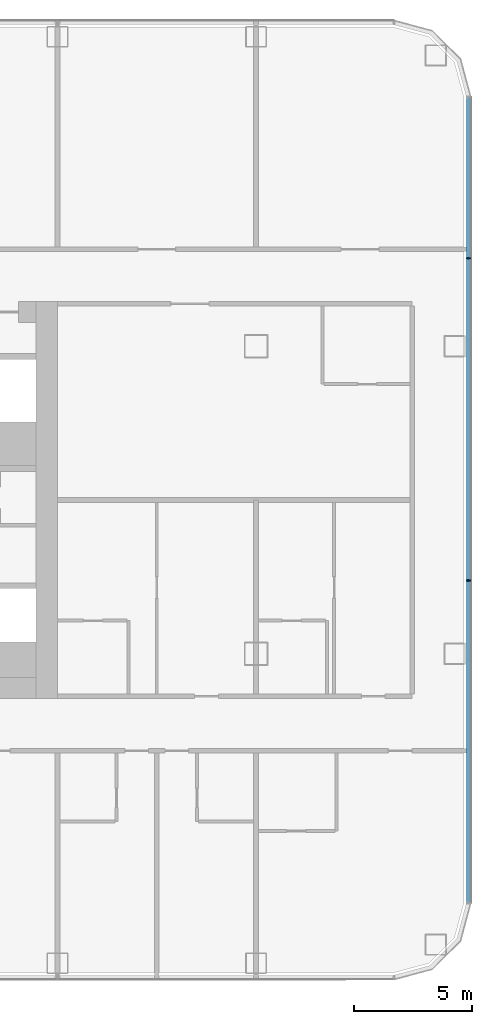
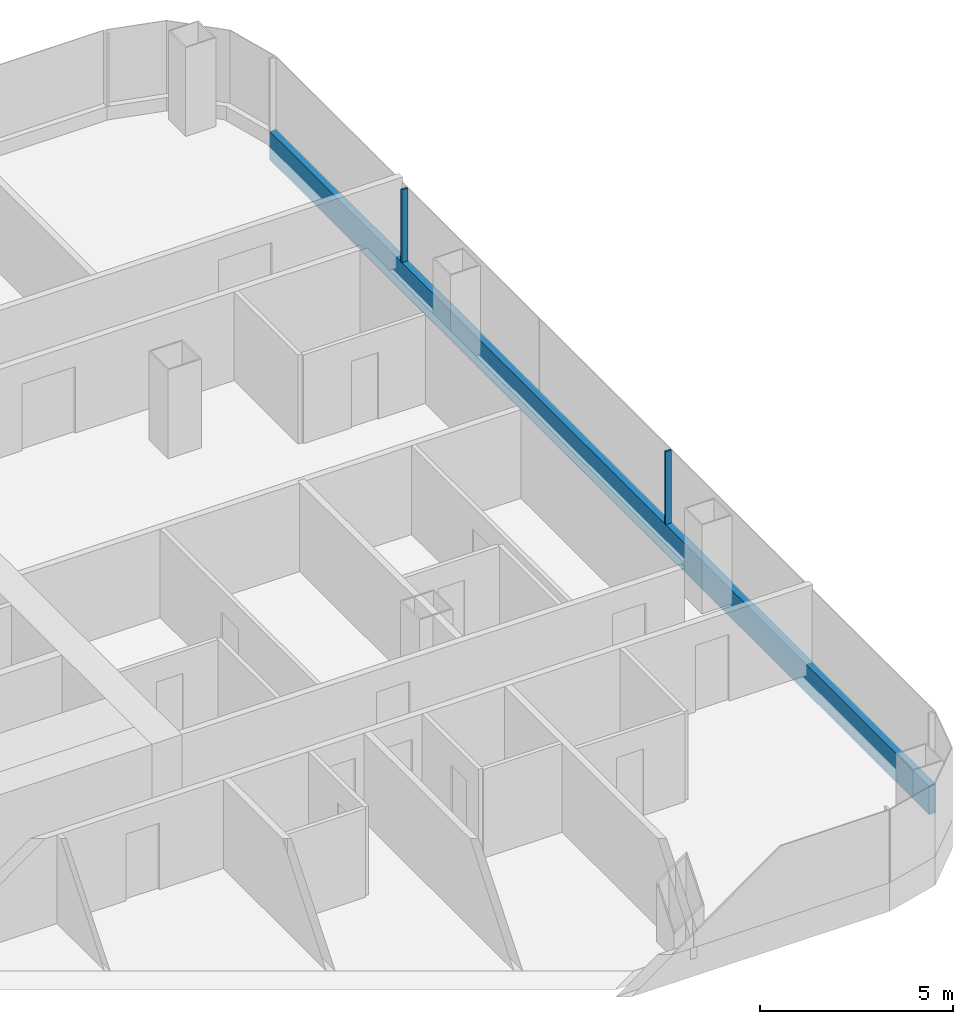
# One storey, part 10 of 29: 3 members, 1 element without a shape of its own.
"""IFC4 building model written with IfcOpenShell, lengths in metres."""

from ifc_helpers import new_model, si_unit, direction, frame, origin, origin_2d, place, context, subcontext, project, spatial, rectangle, extrude, material, layer, layer_set, material_profile, profile_set, type_object, element, aggregate, save


model = new_model("IFC4")

# Units and contexts
model_context = context("Model", 3, precision=1e-05, world=origin(), true_north=direction((0.0, 1.0)))
body_context = subcontext(model_context, "Body", "Model", "MODEL_VIEW")
ifc_project = project(units=[si_unit("LENGTHUNIT", "METRE"), si_unit("AREAUNIT", "SQUARE_METRE"), si_unit("VOLUMEUNIT", "CUBIC_METRE"), si_unit("PLANEANGLEUNIT", "RADIAN"), si_unit("MASSUNIT", "GRAM", prefix="KILO")], contexts=[model_context])

# Site, building, storey
site_placement = place(None, origin())
site = spatial("IfcSite", under=ifc_project, at=site_placement, CompositionType="ELEMENT")
building_placement = place(site_placement, origin())
building = spatial("IfcBuilding", under=site, at=building_placement, Name="Hakoniwa Tower and Hamabe Station Hall", CompositionType="ELEMENT")
storey_placement = place(building_placement, frame((0.0, 0.0, 29.39990234375)))
storey = spatial("IfcBuildingStorey", under=building, at=storey_placement, Name="L07", CompositionType="ELEMENT", Elevation=29.39990234375)

# Curtain wall, members
ifc_material_1 = material(Name="Dark low-e laminated glass", Category="glass")
ifc_layer = layer(ifc_material_1, 0.199951171875)
ifc_layer_set = layer_set([ifc_layer], Name="CW-1 UNITISED GUEST")
curtain_wall_type = type_object("IfcCurtainWallType", Name="CW-1 UNITISED GUEST", PredefinedType="NOTDEFINED", material=ifc_layer_set)
curtain_wall_placement = place(storey_placement, origin())
curtain_wall = element("IfcCurtainWall", 1, at=curtain_wall_placement, inside=storey, type_object=curtain_wall_type, Name="CW-1 curtain wall", PredefinedType="NOTDEFINED")
ifc_material_2 = material(Name="Aluminium 6063-T5 black anodised", Category="aluminium")
ifc_material_profile_1 = material_profile(ifc_material_2, rectangle(XDim=0.199951171875, YDim=0.89990234375, at=origin_2d()), Name="CW SLAB-EDGE BAND 900X200")
ifc_profile_set_1 = profile_set([ifc_material_profile_1], Name="Aluminium 6063-T5 black anodised")
member_type_1 = type_object("IfcMemberType", Name="CW SLAB-EDGE BAND 900X200", PredefinedType="USERDEFINED", material=ifc_profile_set_1)
member_1_placement = place(storey_placement, frame((51.0, -17.03955078125, -0.099853515625), z_axis=(0.0, 1.0, 0.0), x_axis=(-1.0, 0.0, 0.0)))
member_1 = element("IfcMember", 2, at=member_1_placement, type_object=member_type_1, Name="CW-1 transom", ObjectType="TRANSOM", PredefinedType="USERDEFINED", context=body_context, shape_type="SweptSolid", body=[
    extrude(rectangle(XDim=0.199951171875, YDim=0.89990234375, at=origin_2d()), origin(), (0.0, 0.0, 1.0), 34.0791015625),
])
ifc_material_3 = material(Name="Aluminium 6063-T5 black anodised", Category="aluminium")
ifc_material_profile_2 = material_profile(ifc_material_3, rectangle(XDim=0.06005859375, YDim=0.179931640625, at=origin_2d()), Name="CW-1 MULLION 60X180")
ifc_profile_set_2 = profile_set([ifc_material_profile_2], Name="Aluminium 6063-T5 black anodised")
member_type_2 = type_object("IfcMemberType", Name="CW-1 MULLION 60X180", PredefinedType="MULLION", material=ifc_profile_set_2)
member_2_placement = place(storey_placement, frame((50.98193359375, -3.407958984375, 0.35009765625), z_axis=(0.0, 0.0, 1.0), x_axis=(0.0, 1.0, 0.0)))
member_2 = element("IfcMember", 3, at=member_2_placement, type_object=member_type_2, Name="CW-1 mullion", PredefinedType="MULLION", context=body_context, shape_type="SweptSolid", body=[
    extrude(rectangle(XDim=0.06005859375, YDim=0.179931640625, at=origin_2d()), origin(), (0.0, 0.0, 1.0), 2.300048828125),
])
member_3_placement = place(storey_placement, frame((50.98193359375, 10.2236328125, 0.35009765625), z_axis=(0.0, 0.0, 1.0), x_axis=(0.0, 1.0, 0.0)))
member_3 = element("IfcMember", 4, at=member_3_placement, type_object=member_type_2, Name="CW-1 mullion", PredefinedType="MULLION", context=body_context, shape_type="SweptSolid", body=[
    extrude(rectangle(XDim=0.06005859375, YDim=0.179931640625, at=origin_2d()), origin(), (0.0, 0.0, 1.0), 2.300048828125),
])
aggregate(curtain_wall, [member_2, member_3, member_1])

save(model, "model.ifc")
